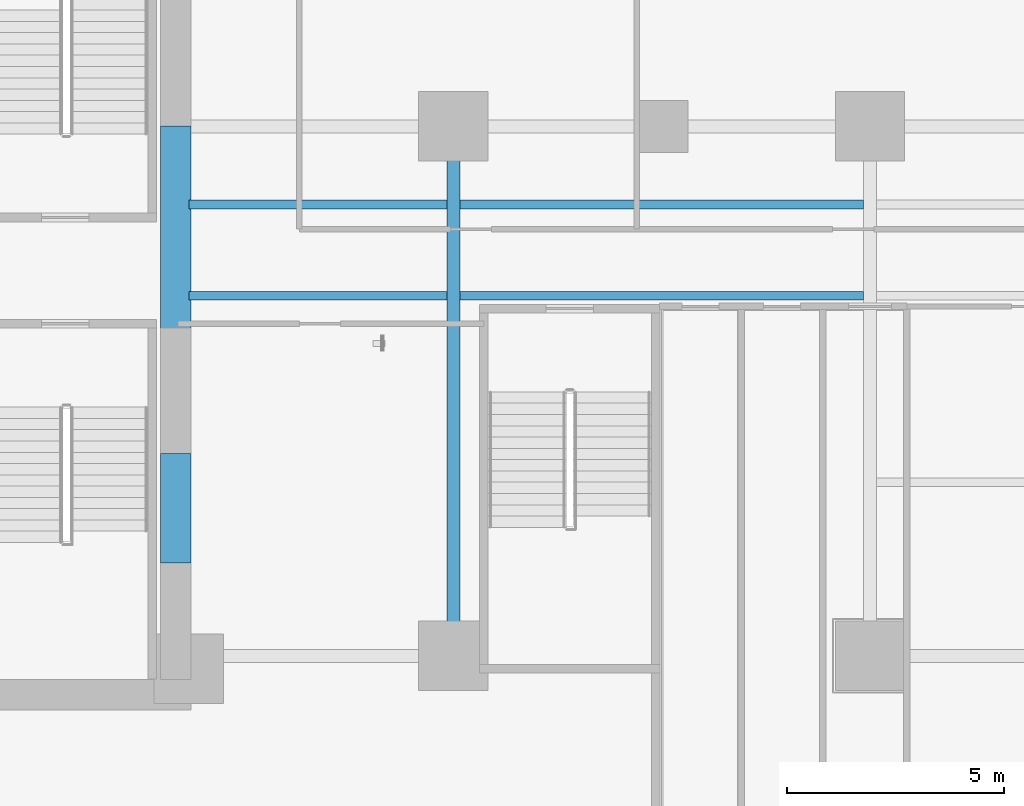
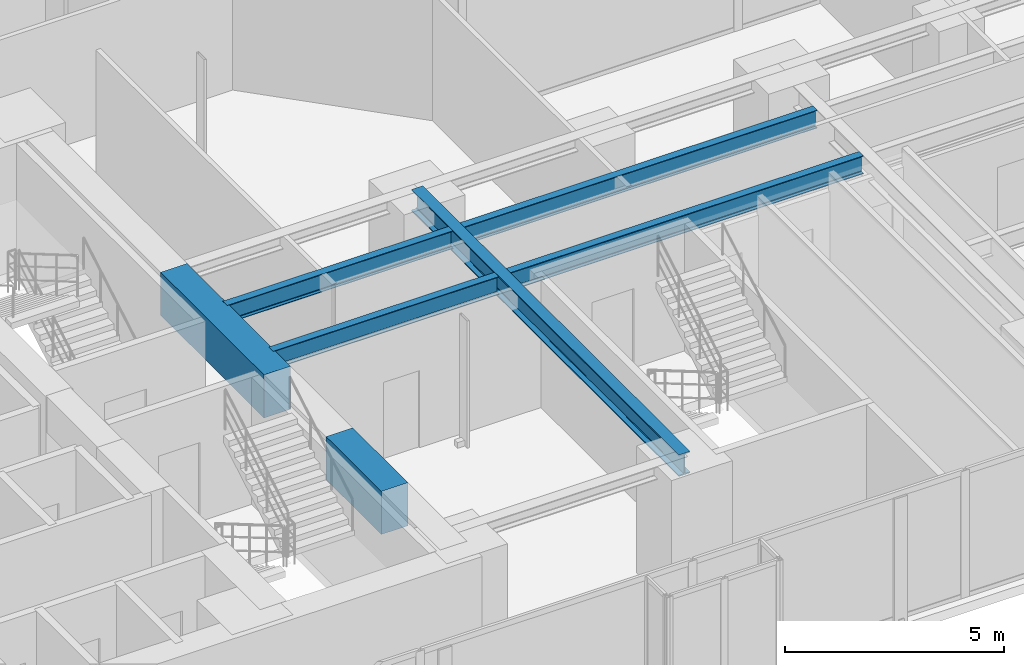
# One storey, part 5 of 28: 7 beams.
"""IFC4 building model written with IfcOpenShell, lengths in metres."""

from ifc_helpers import new_model, si_unit, direction, frame, origin, origin_2d, place, context, subcontext, project, spatial, rectangle, i_section, extrude, material, material_profile, profile_set, type_object, element, save


model = new_model("IFC4")

# Units and contexts
model_context = context("Model", 3, precision=1e-05, world=origin(), true_north=direction((0.0, 1.0)))
body_context = subcontext(model_context, "Body", "Model", "MODEL_VIEW")
ifc_project = project(units=[si_unit("LENGTHUNIT", "METRE"), si_unit("AREAUNIT", "SQUARE_METRE"), si_unit("VOLUMEUNIT", "CUBIC_METRE"), si_unit("PLANEANGLEUNIT", "RADIAN"), si_unit("MASSUNIT", "GRAM", prefix="KILO")], contexts=[model_context])

# Site, building, storey
site_placement = place(None, origin())
site = spatial("IfcSite", under=ifc_project, at=site_placement, CompositionType="ELEMENT")
building_placement = place(site_placement, origin())
building = spatial("IfcBuilding", under=site, at=building_placement, Name="Kolvaren Waterfront Exchange", CompositionType="ELEMENT")
storey_placement = place(building_placement, frame((0.0, 0.0, 75.199951171875)))
storey = spatial("IfcBuildingStorey", under=building, at=storey_placement, Name="L19", CompositionType="ELEMENT", Elevation=75.199951171875)

# Beams
ifc_material_1 = material(Name="Steel S355", Category="steel")
ifc_material_profile_1 = material_profile(ifc_material_1, i_section(OverallWidth=0.300048828125, OverallDepth=0.60009765625, WebThickness=0.015380859375, FlangeThickness=0.030029296875, FilletRadius=0.027099609375, at=origin_2d()), Name="HEB600")
ifc_profile_set_1 = profile_set([ifc_material_profile_1], Name="Steel S355")
beam_type_1 = type_object("IfcBeamType", Name="STR-BM-HEB600", PredefinedType="BEAM", material=ifc_profile_set_1)
beam_1_placement = place(storey_placement, frame((27.199951171875, 5.199951171875, 3.239990234375), z_axis=(0.0, 1.0, 0.0), x_axis=(-1.0, 0.0, 0.0)))
element("IfcBeam", 1, at=beam_1_placement, inside=storey, type_object=beam_type_1, Name="L19 east-arm transverse girder X27", PredefinedType="BEAM", context=body_context, shape_type="SweptSolid", body=[
    extrude(i_section(OverallWidth=0.300048828125, OverallDepth=0.60009765625, WebThickness=0.015380859375, FlangeThickness=0.030029296875, FilletRadius=0.027099609375, at=origin_2d()), origin(), (0.0, 0.0, 1.0), 12.199951171875),
])
ifc_material_profile_2 = material_profile(ifc_material_1, i_section(OverallWidth=0.199951171875, OverallDepth=0.5, WebThickness=0.01025390625, FlangeThickness=0.01611328125, FilletRadius=0.02099609375, at=origin_2d()), Name="IPE500")
ifc_profile_set_2 = profile_set([ifc_material_profile_2], Name="Steel S355")
beam_type_2 = type_object("IfcBeamType", Name="STR-BM-IPE500", PredefinedType="JOIST", material=ifc_profile_set_2)
for number, where, z_axis, x_axis, name in (
    (2, (21.10009765625, 13.5, 3.2900390625), (1.0, 0.0, 0.0), (0.0, 1.0, 0.0), "L19 east-arm composite joist 1A"),
    (3, (21.10009765625, 15.60009765625, 3.2900390625), (1.0, 0.0, 0.0), (0.0, 1.0, 0.0), "L19 east-arm composite joist 1C"),
):
    element("IfcBeam", number, at=place(storey_placement, frame(where, z_axis=z_axis, x_axis=x_axis)), inside=storey, type_object=beam_type_2, Name=name, PredefinedType="JOIST", context=body_context, shape_type="SweptSolid", body=[
        extrude(i_section(OverallWidth=0.199951171875, OverallDepth=0.5, WebThickness=0.01025390625, FlangeThickness=0.01611328125, FilletRadius=0.02099609375, at=origin_2d()), origin(), (0.0, 0.0, 1.0), 5.947998046875),
    ])
for number, where, z_axis, x_axis, name in (
    (4, (27.35205078125, 13.5, 3.2900390625), (1.0, 0.0, 0.0), (0.0, 1.0, 0.0), "L19 east-arm composite joist 2A"),
    (5, (27.35205078125, 15.60009765625, 3.2900390625), (1.0, 0.0, 0.0), (0.0, 1.0, 0.0), "L19 east-arm composite joist 2C"),
):
    element("IfcBeam", number, at=place(storey_placement, frame(where, z_axis=z_axis, x_axis=x_axis)), inside=storey, type_object=beam_type_2, Name=name, PredefinedType="JOIST", context=body_context, shape_type="SweptSolid", body=[
        extrude(i_section(OverallWidth=0.199951171875, OverallDepth=0.5, WebThickness=0.01025390625, FlangeThickness=0.01611328125, FilletRadius=0.02099609375, at=origin_2d()), origin(), (0.0, 0.0, 1.0), 9.2958984375),
    ])
ifc_material_2 = material(Name="Concrete C70/85", Category="concrete")
ifc_material_profile_3 = material_profile(ifc_material_2, rectangle(XDim=0.699951171875, YDim=1.199951171875, at=origin_2d()), Name="RC-CB-1200x700")
ifc_profile_set_3 = profile_set([ifc_material_profile_3], Name="Concrete C70/85")
beam_type_3 = type_object("IfcBeamType", Name="STR-CB-1200", PredefinedType="SPANDREL", material=ifc_profile_set_3)
beam_2_placement = place(storey_placement, frame((20.800048828125, 7.340087890625, 2.93994140625), z_axis=(0.0, 1.0, 0.0), x_axis=(-1.0, 0.0, 0.0)))
element("IfcBeam", 6, at=beam_2_placement, inside=storey, type_object=beam_type_3, Name="L19 core coupling beam 1", PredefinedType="SPANDREL", context=body_context, shape_type="SweptSolid", body=[
    extrude(rectangle(XDim=0.699951171875, YDim=1.199951171875, at=origin_2d()), origin(), (0.0, 0.0, 1.0), 2.52001953125),
])
beam_3_placement = place(storey_placement, frame((20.800048828125, 12.68994140625, 2.93994140625), z_axis=(0.0, 1.0, 0.0), x_axis=(-1.0, 0.0, 0.0)))
element("IfcBeam", 7, at=beam_3_placement, inside=storey, type_object=beam_type_3, Name="L19 core coupling beam 2", PredefinedType="SPANDREL", context=body_context, shape_type="SweptSolid", body=[
    extrude(rectangle(XDim=0.699951171875, YDim=1.199951171875, at=origin_2d()), origin(), (0.0, 0.0, 1.0), 4.719970703125),
])

save(model, "model.ifc")
